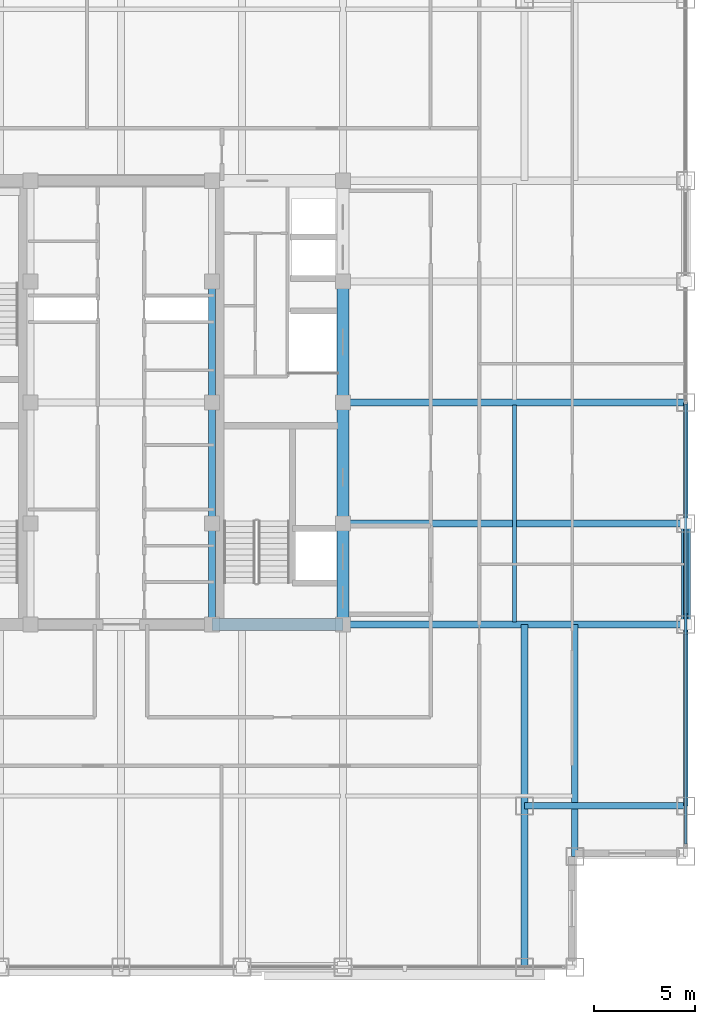
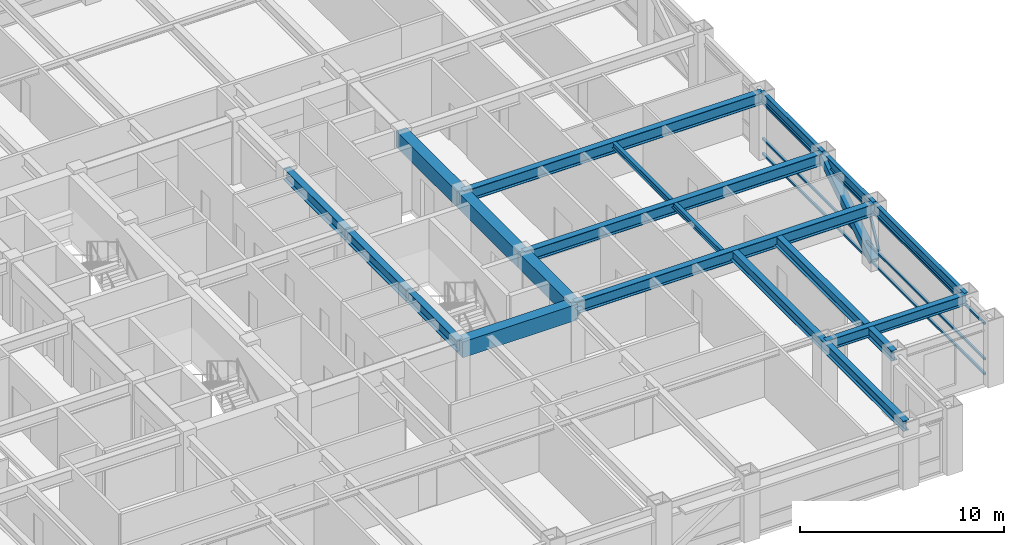
# One storey, part 9 of 27: 17 beams, 5 members, 1 element without a shape of its own.
"""IFC4 building model written with IfcOpenShell, lengths in metres."""

from ifc_helpers import new_model, si_unit, direction, frame, origin, origin_2d, place, context, subcontext, project, spatial, rectangle, hollow_rectangle, i_section, extrude, source, transform, mapped, material, material_profile, profile_set, type_object, element, aggregate, save


model = new_model("IFC4")

# Units and contexts
model_context = context("Model", 3, precision=1e-05, world=origin(), true_north=direction((0.0, 1.0)))
body_context = subcontext(model_context, "Body", "Model", "MODEL_VIEW")
ifc_project = project(units=[si_unit("LENGTHUNIT", "METRE"), si_unit("AREAUNIT", "SQUARE_METRE"), si_unit("VOLUMEUNIT", "CUBIC_METRE"), si_unit("PLANEANGLEUNIT", "RADIAN"), si_unit("MASSUNIT", "GRAM", prefix="KILO")], contexts=[model_context])

# Site, building, storey
site_placement = place(None, origin())
site = spatial("IfcSite", under=ifc_project, at=site_placement, CompositionType="ELEMENT")
building_placement = place(site_placement, origin())
building = spatial("IfcBuilding", under=site, at=building_placement, Name="Khorayat Bourse Tower", CompositionType="ELEMENT")
storey_placement = place(building_placement, frame((0.0, 0.0, 317.5)))
storey = spatial("IfcBuildingStorey", under=building, at=storey_placement, Name="L75", CompositionType="ELEMENT", Elevation=317.5)

# Beams
ifc_material_1 = material(Name="Steel ASTM A992 Grade 50", Category="steel")
ifc_material_profile_1 = material_profile(ifc_material_1, i_section(OverallWidth=0.35498046875, OverallDepth=0.695068359375, WebThickness=0.015380859375, FlangeThickness=0.02490234375, FilletRadius=0.01806640625, at=origin_2d()), Name="W690X217")
ifc_profile_set_1 = profile_set([ifc_material_profile_1], Name="Steel ASTM A992 Grade 50")
beam_type_1 = type_object("IfcBeamType", Name="BM-GIRD-690", PredefinedType="BEAM", material=ifc_profile_set_1)
shared_shape_1 = source(origin(), body_context, "Body", "SweptSolid", [
    extrude(i_section(OverallWidth=0.35498046875, OverallDepth=0.695068359375, WebThickness=0.015380859375, FlangeThickness=0.02490234375, FilletRadius=0.01806640625, at=origin_2d()), origin(), (0.0, 0.0, 1.0), 5.0),
])
beam_1_placement = place(storey_placement, frame((4.5, -11.0, 3.4326171875), z_axis=(0.0, 1.0, 0.0), x_axis=(-1.0, 0.0, 0.0)))
element("IfcBeam", 1, at=beam_1_placement, inside=storey, type_object=beam_type_1, Name="L75 BM-GIRD-690 BM-L75-CRX-09", PredefinedType="BEAM", context=body_context, shape_type="MappedRepresentation", body=[
    mapped(shared_shape_1, transform((0.0, 0.0, 0.0), scale=1.0)),
])
shared_shape_2 = source(origin(), body_context, "Body", "SweptSolid", [
    extrude(i_section(OverallWidth=0.35498046875, OverallDepth=0.695068359375, WebThickness=0.015380859375, FlangeThickness=0.02490234375, FilletRadius=0.01806640625, at=origin_2d()), origin(), (0.0, 0.0, 1.0), 6.0),
])
for number, where, z_axis, x_axis, name in (
    (2, (4.5, -6.0, 3.4326171875), (0.0, 1.0, 0.0), (-1.0, 0.0, 0.0), "L75 BM-GIRD-690 BM-L75-CRX-10"),
    (3, (4.5, 0.0, 3.4326171875), (0.0, 1.0, 0.0), (-1.0, 0.0, 0.0), "L75 BM-GIRD-690 BM-L75-CRX-11"),
):
    element("IfcBeam", number, at=place(storey_placement, frame(where, z_axis=z_axis, x_axis=x_axis)), inside=storey, type_object=beam_type_1, Name=name, PredefinedType="BEAM", context=body_context, shape_type="MappedRepresentation", body=[
        mapped(shared_shape_2, transform((0.0, 0.0, 0.0), scale=1.0)),
    ])
ifc_material_profile_2 = material_profile(ifc_material_1, i_section(OverallWidth=0.324951171875, OverallDepth=0.615966796875, WebThickness=0.013916015625, FlangeThickness=0.021484375, FilletRadius=0.01611328125, at=origin_2d()), Name="W610X174")
ifc_profile_set_2 = profile_set([ifc_material_profile_2], Name="Steel ASTM A992 Grade 50")
beam_type_2 = type_object("IfcBeamType", Name="BM-GIRD-610", PredefinedType="BEAM", material=ifc_profile_set_2)
shared_shape_3 = source(origin(), body_context, "Body", "SweptSolid", [
    extrude(i_section(OverallWidth=0.324951171875, OverallDepth=0.615966796875, WebThickness=0.013916015625, FlangeThickness=0.021484375, FilletRadius=0.01611328125, at=origin_2d()), origin(), (0.0, 0.0, 1.0), 17.0),
])
beam_2_placement = place(storey_placement, frame((20.0, -28.0, 3.471923828125), z_axis=(0.0, 1.0, 0.0), x_axis=(-1.0, 0.0, 0.0)))
element("IfcBeam", 4, at=beam_2_placement, inside=storey, type_object=beam_type_2, Name="L75 BM-GIRD-610 BM-L75-CNRY-086", PredefinedType="BEAM", context=body_context, shape_type="MappedRepresentation", body=[
    mapped(shared_shape_3, transform((0.0, 0.0, 0.0), scale=1.0)),
])
ifc_material_2 = material(Name="Concrete C60/75", Category="concrete")
ifc_material_profile_3 = material_profile(ifc_material_2, rectangle(XDim=0.60009765625, YDim=0.949951171875, at=origin_2d()), Name="RC 600x950")
ifc_profile_set_3 = profile_set([ifc_material_profile_3], Name="Concrete C60/75")
beam_type_3 = type_object("IfcBeamType", Name="BM-COUP-950", PredefinedType="BEAM", material=ifc_profile_set_3)
shared_shape_4 = source(origin(), body_context, "Body", "SweptSolid", [
    extrude(rectangle(XDim=0.60009765625, YDim=0.949951171875, at=origin_2d()), origin(), (0.0, 0.0, 1.0), 5.0),
])
beam_3_placement = place(storey_placement, frame((11.0, -11.0, 3.304931640625), z_axis=(0.0, 1.0, 0.0), x_axis=(-1.0, 0.0, 0.0)))
element("IfcBeam", 5, at=beam_3_placement, inside=storey, type_object=beam_type_3, Name="L75 BM-COUP-950 BM-L75-CRX-13", PredefinedType="BEAM", context=body_context, shape_type="MappedRepresentation", body=[
    mapped(shared_shape_4, transform((0.0, 0.0, 0.0), scale=1.0)),
])
shared_shape_5 = source(origin(), body_context, "Body", "SweptSolid", [
    extrude(rectangle(XDim=0.60009765625, YDim=0.949951171875, at=origin_2d()), origin(), (0.0, 0.0, 1.0), 6.0),
])
for number, where, z_axis, x_axis, name in (
    (6, (11.0, -6.0, 3.304931640625), (0.0, 1.0, 0.0), (-1.0, 0.0, 0.0), "L75 BM-COUP-950 BM-L75-CRX-14"),
    (7, (11.0, 0.0, 3.304931640625), (0.0, 1.0, 0.0), (-1.0, 0.0, 0.0), "L75 BM-COUP-950 BM-L75-CRX-15"),
):
    element("IfcBeam", number, at=place(storey_placement, frame(where, z_axis=z_axis, x_axis=x_axis)), inside=storey, type_object=beam_type_3, Name=name, PredefinedType="BEAM", context=body_context, shape_type="MappedRepresentation", body=[
        mapped(shared_shape_5, transform((0.0, 0.0, 0.0), scale=1.0)),
    ])
shared_shape_6 = source(origin(), body_context, "Body", "SweptSolid", [
    extrude(rectangle(XDim=0.60009765625, YDim=0.949951171875, at=origin_2d()), origin(), (0.0, 0.0, 1.0), 6.5),
])
beam_4_placement = place(storey_placement, frame((4.5, -11.0, 3.304931640625), z_axis=(1.0, 0.0, 0.0), x_axis=(0.0, 1.0, 0.0)))
element("IfcBeam", 8, at=beam_4_placement, inside=storey, type_object=beam_type_3, Name="L75 BM-COUP-950 BM-L75-CRY-19", PredefinedType="BEAM", context=body_context, shape_type="MappedRepresentation", body=[
    mapped(shared_shape_6, transform((0.0, 0.0, 0.0), scale=1.0)),
])

# Member
ifc_material_3 = material(Name="Steel EN 10025-4 S460M", Category="steel")
ifc_material_profile_4 = material_profile(ifc_material_3, hollow_rectangle(XDim=0.449951171875, YDim=0.449951171875, WallThickness=0.02490234375, at=origin_2d()), Name="HSS 450x450x25")
ifc_profile_set_4 = profile_set([ifc_material_profile_4], Name="Steel EN 10025-4 S460M")
member_type_1 = type_object("IfcMemberType", Name="MBR-TUBE-450", PredefinedType="BRACE", material=ifc_profile_set_4)
shared_shape_7 = source(origin(), body_context, "Body", "SweptSolid", [
    extrude(hollow_rectangle(XDim=0.449951171875, YDim=0.449951171875, WallThickness=0.02490234375, at=origin_2d()), origin(), (0.0, 0.0, 1.0), 5.979736328125),
])
member_1_placement = place(storey_placement, frame((28.0, -11.0, 0.25), z_axis=(0.0, 0.836141536525, 0.548513747227), x_axis=(-1.0, 0.0, 0.0)))
element("IfcMember", 9, at=member_1_placement, inside=storey, type_object=member_type_1, Name="L75 Perimeter Tube Brace 07", PredefinedType="BRACE", context=body_context, shape_type="MappedRepresentation", body=[
    mapped(shared_shape_7, transform((0.0, 0.0, 0.0), scale=1.0)),
])

# Beams
shared_shape_8 = source(origin(), body_context, "Body", "SweptSolid", [
    extrude(i_section(OverallWidth=0.35498046875, OverallDepth=0.695068359375, WebThickness=0.015380859375, FlangeThickness=0.02490234375, FilletRadius=0.01806640625, at=origin_2d()), origin(), (0.0, 0.0, 1.0), 17.0),
])
for number, where, z_axis, x_axis, name in (
    (10, (11.0, -11.0, 3.4326171875), (1.0, 0.0, 0.0), (0.0, 1.0, 0.0), "L75 BM-GIRD-690 BM-L75-RADX-074"),
    (11, (11.0, -6.0, 3.4326171875), (1.0, 0.0, 0.0), (0.0, 1.0, 0.0), "L75 BM-GIRD-690 BM-L75-RADX-076"),
    (12, (11.0, 0.0, 3.4326171875), (1.0, 0.0, 0.0), (0.0, 1.0, 0.0), "L75 BM-GIRD-690 BM-L75-RADX-078"),
):
    element("IfcBeam", number, at=place(storey_placement, frame(where, z_axis=z_axis, x_axis=x_axis)), inside=storey, type_object=beam_type_1, Name=name, PredefinedType="BEAM", context=body_context, shape_type="MappedRepresentation", body=[
        mapped(shared_shape_8, transform((0.0, 0.0, 0.0), scale=1.0)),
    ])
shared_shape_9 = source(origin(), body_context, "Body", "SweptSolid", [
    extrude(i_section(OverallWidth=0.324951171875, OverallDepth=0.615966796875, WebThickness=0.013916015625, FlangeThickness=0.021484375, FilletRadius=0.01611328125, at=origin_2d()), origin(), (0.0, 0.0, 1.0), 11.5),
])
beam_5_placement = place(storey_placement, frame((22.5, -22.5, 3.471923828125), z_axis=(0.0, 1.0, 0.0), x_axis=(-1.0, 0.0, 0.0)))
element("IfcBeam", 13, at=beam_5_placement, inside=storey, type_object=beam_type_2, Name="L75 BM-GIRD-610 BM-L75-CNRY-090", PredefinedType="BEAM", context=body_context, shape_type="MappedRepresentation", body=[
    mapped(shared_shape_9, transform((0.0, 0.0, 0.0), scale=1.0)),
])
shared_shape_10 = source(origin(), body_context, "Body", "SweptSolid", [
    extrude(i_section(OverallWidth=0.324951171875, OverallDepth=0.615966796875, WebThickness=0.013916015625, FlangeThickness=0.021484375, FilletRadius=0.01611328125, at=origin_2d()), origin(), (0.0, 0.0, 1.0), 8.0),
])
beam_6_placement = place(storey_placement, frame((20.0, -20.0, 3.471923828125), z_axis=(1.0, 0.0, 0.0), x_axis=(0.0, 1.0, 0.0)))
element("IfcBeam", 14, at=beam_6_placement, inside=storey, type_object=beam_type_2, Name="L75 BM-GIRD-610 BM-L75-CNRX-092", PredefinedType="BEAM", context=body_context, shape_type="MappedRepresentation", body=[
    mapped(shared_shape_10, transform((0.0, 0.0, 0.0), scale=1.0)),
])
ifc_material_profile_5 = material_profile(ifc_material_1, i_section(OverallWidth=0.202880859375, OverallDepth=0.346923828125, WebThickness=0.0078125, FlangeThickness=0.013427734375, FilletRadius=0.010009765625, at=origin_2d()), Name="W360X64")
ifc_profile_set_5 = profile_set([ifc_material_profile_5], Name="Steel ASTM A992 Grade 50")
beam_type_4 = type_object("IfcBeamType", Name="BM-JOIST-360", PredefinedType="JOIST", material=ifc_profile_set_5)
shared_shape_11 = source(origin(), body_context, "Body", "SweptSolid", [
    extrude(i_section(OverallWidth=0.202880859375, OverallDepth=0.346923828125, WebThickness=0.0078125, FlangeThickness=0.013427734375, FilletRadius=0.010009765625, at=origin_2d()), origin(), (0.0, 0.0, 1.0), 10.740234375),
])
beam_7_placement = place(storey_placement, frame((19.5, -10.8701171875, 3.6064453125), z_axis=(0.0, 1.0, 0.0), x_axis=(-1.0, 0.0, 0.0)))
element("IfcBeam", 15, at=beam_7_placement, inside=storey, type_object=beam_type_4, Name="L75 BM-JOIST-360 BM-L75-JSTY-104", PredefinedType="JOIST", context=body_context, shape_type="MappedRepresentation", body=[
    mapped(shared_shape_11, transform((0.0, 0.0, 0.0), scale=1.0)),
])
ifc_material_profile_6 = material_profile(ifc_material_1, i_section(OverallWidth=0.214111328125, OverallDepth=0.549072265625, WebThickness=0.0146484375, FlangeThickness=0.023681640625, FilletRadius=0.013916015625, at=origin_2d()), Name="W530X138")
ifc_profile_set_6 = profile_set([ifc_material_profile_6], Name="Steel ASTM A992 Grade 50")
beam_type_5 = type_object("IfcBeamType", Name="BM-SPAN-530", PredefinedType="SPANDREL", material=ifc_profile_set_6)
shared_shape_12 = source(origin(), body_context, "Body", "SweptSolid", [
    extrude(i_section(OverallWidth=0.214111328125, OverallDepth=0.549072265625, WebThickness=0.0146484375, FlangeThickness=0.023681640625, FilletRadius=0.013916015625, at=origin_2d()), origin(), (0.0, 0.0, 1.0), 9.0),
])
beam_8_placement = place(storey_placement, frame((28.0, -20.0, 3.505615234375), z_axis=(0.0, 1.0, 0.0), x_axis=(-1.0, 0.0, 0.0)))
element("IfcBeam", 16, at=beam_8_placement, inside=storey, type_object=beam_type_5, Name="L75 BM-SPAN-530 BM-L75-SPN-035", PredefinedType="SPANDREL", context=body_context, shape_type="MappedRepresentation", body=[
    mapped(shared_shape_12, transform((0.0, 0.0, 0.0), scale=1.0)),
])
shared_shape_13 = source(origin(), body_context, "Body", "SweptSolid", [
    extrude(i_section(OverallWidth=0.214111328125, OverallDepth=0.549072265625, WebThickness=0.0146484375, FlangeThickness=0.023681640625, FilletRadius=0.013916015625, at=origin_2d()), origin(), (0.0, 0.0, 1.0), 5.0),
])
beam_9_placement = place(storey_placement, frame((28.0, -11.0, 3.505615234375), z_axis=(0.0, 1.0, 0.0), x_axis=(-1.0, 0.0, 0.0)))
element("IfcBeam", 17, at=beam_9_placement, inside=storey, type_object=beam_type_5, Name="L75 BM-SPAN-530 BM-L75-SPN-036", PredefinedType="SPANDREL", context=body_context, shape_type="MappedRepresentation", body=[
    mapped(shared_shape_13, transform((0.0, 0.0, 0.0), scale=1.0)),
])
shared_shape_14 = source(origin(), body_context, "Body", "SweptSolid", [
    extrude(i_section(OverallWidth=0.214111328125, OverallDepth=0.549072265625, WebThickness=0.0146484375, FlangeThickness=0.023681640625, FilletRadius=0.013916015625, at=origin_2d()), origin(), (0.0, 0.0, 1.0), 6.0),
])
beam_10_placement = place(storey_placement, frame((28.0, -6.0, 3.505615234375), z_axis=(0.0, 1.0, 0.0), x_axis=(-1.0, 0.0, 0.0)))
element("IfcBeam", 18, at=beam_10_placement, inside=storey, type_object=beam_type_5, Name="L75 BM-SPAN-530 BM-L75-SPN-037", PredefinedType="SPANDREL", context=body_context, shape_type="MappedRepresentation", body=[
    mapped(shared_shape_14, transform((0.0, 0.0, 0.0), scale=1.0)),
])

# Curtain wall, members
ifc_material_4 = material(Name="Aluminium EN AW-6063 T6", Category="aluminium")
curtain_wall_type = type_object("IfcCurtainWallType", Name="CW-SYS-04", PredefinedType="NOTDEFINED", material=ifc_material_4)
curtain_wall_placement = place(storey_placement, origin())
curtain_wall = element("IfcCurtainWall", 19, at=curtain_wall_placement, inside=storey, type_object=curtain_wall_type, Name="L75 Curtain Wall CW-L75-E1", PredefinedType="NOTDEFINED")
ifc_material_profile_7 = material_profile(ifc_material_4, hollow_rectangle(XDim=0.1201171875, YDim=0.1201171875, WallThickness=0.0048828125, at=origin_2d()), Name="ALU 120x120x5")
ifc_profile_set_7 = profile_set([ifc_material_profile_7], Name="Aluminium EN AW-6063 T6")
member_type_2 = type_object("IfcMemberType", Name="CWM-DIAG-120", PredefinedType="MULLION", material=ifc_profile_set_7)
shared_shape_15 = source(origin(), body_context, "Body", "SweptSolid", [
    extrude(hollow_rectangle(XDim=0.1201171875, YDim=0.1201171875, WallThickness=0.0048828125, at=origin_2d()), origin(), (0.0, 0.0, 1.0), 2.0791015625),
])
member_2_placement = place(storey_placement, frame((28.0, -11.4541015625, 1.090087890625), z_axis=(0.0, 0.465717394116, 0.884933505309), x_axis=(-1.0, 0.0, 0.0)))
member_2 = element("IfcMember", 20, at=member_2_placement, type_object=member_type_2, Name="CW-L75-E1 Faceted Diagonal Mullion 1", PredefinedType="MULLION", context=body_context, shape_type="MappedRepresentation", body=[
    mapped(shared_shape_15, transform((0.0, 0.0, 0.0), scale=1.0)),
])
ifc_material_profile_8 = material_profile(ifc_material_4, hollow_rectangle(XDim=0.1201171875, YDim=0.1201171875, WallThickness=0.0048828125, at=origin_2d()), Name="ALU 120x120x5")
ifc_profile_set_8 = profile_set([ifc_material_profile_8], Name="Aluminium EN AW-6063 T6")
member_type_3 = type_object("IfcMemberType", Name="CWT-HORZ-120", PredefinedType="USERDEFINED", material=ifc_profile_set_8)
shared_shape_16 = source(origin(), body_context, "Body", "SweptSolid", [
    extrude(hollow_rectangle(XDim=0.1201171875, YDim=0.1201171875, WallThickness=0.0048828125, at=origin_2d()), origin(), (0.0, 0.0, 1.0), 21.81982421875),
])
member_3_placement = place(storey_placement, frame((28.0, -21.8798828125, 0.06005859375), z_axis=(0.0, 1.0, 0.0), x_axis=(-1.0, 0.0, 0.0)))
member_3 = element("IfcMember", 21, at=member_3_placement, type_object=member_type_3, Name="CW-L75-E1 Horizontal Transom 1-1", ObjectType="TRANSOM", PredefinedType="USERDEFINED", context=body_context, shape_type="MappedRepresentation", body=[
    mapped(shared_shape_16, transform((0.0, 0.0, 0.0), scale=1.0)),
])
member_4_placement = place(storey_placement, frame((28.0, -21.8798828125, 0.949951171875), z_axis=(0.0, 1.0, 0.0), x_axis=(-1.0, 0.0, 0.0)))
member_4 = element("IfcMember", 22, at=member_4_placement, type_object=member_type_3, Name="CW-L75-E1 Horizontal Transom 1-2", ObjectType="TRANSOM", PredefinedType="USERDEFINED", context=body_context, shape_type="MappedRepresentation", body=[
    mapped(shared_shape_16, transform((0.0, 0.0, 0.0), scale=1.0)),
])
member_5_placement = place(storey_placement, frame((28.0, -21.8798828125, 3.070068359375), z_axis=(0.0, 1.0, 0.0), x_axis=(-1.0, 0.0, 0.0)))
member_5 = element("IfcMember", 23, at=member_5_placement, type_object=member_type_3, Name="CW-L75-E1 Horizontal Transom 1-3", ObjectType="TRANSOM", PredefinedType="USERDEFINED", context=body_context, shape_type="MappedRepresentation", body=[
    mapped(shared_shape_16, transform((0.0, 0.0, 0.0), scale=1.0)),
])
aggregate(curtain_wall, [member_3, member_4, member_5, member_2])

save(model, "model.ifc")
